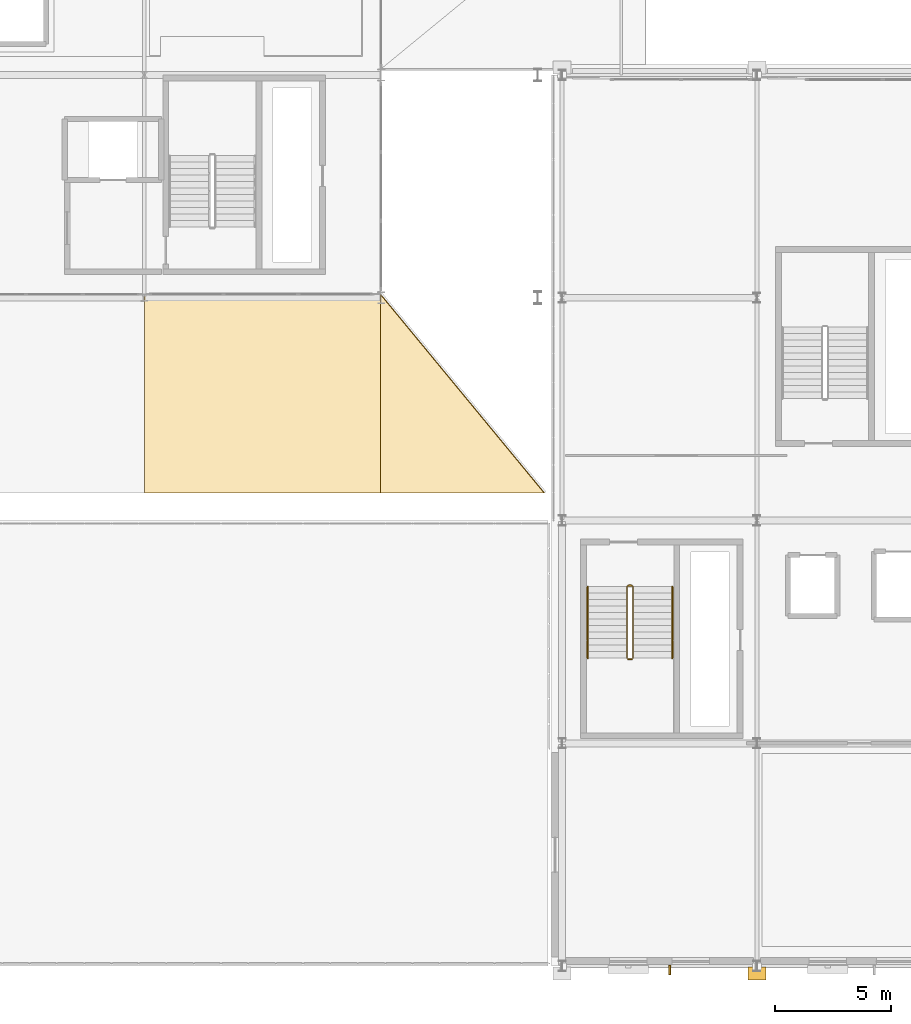
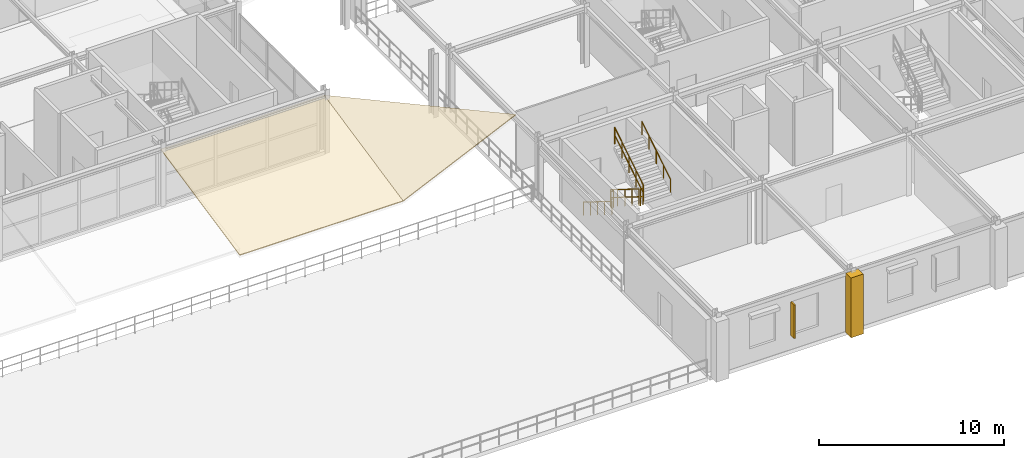
# One storey, part 64 of 81: 6 railings, 3 coverings, 1 shading device.
"""IFC4 building model written with IfcOpenShell, lengths in metres."""

from ifc_helpers import new_model, si_unit, direction, frame, origin, origin_2d, place, context, subcontext, project, spatial, polyline, rectangle, outline, extrude, material, layer, layer_set, type_object, element, save


model = new_model("IFC4")

# Units and contexts
model_context = context("Model", 3, precision=1e-05, world=origin(), true_north=direction((0.0, 1.0)))
body_context = subcontext(model_context, "Body", "Model", "MODEL_VIEW")
ifc_project = project(units=[si_unit("LENGTHUNIT", "METRE"), si_unit("AREAUNIT", "SQUARE_METRE"), si_unit("VOLUMEUNIT", "CUBIC_METRE"), si_unit("PLANEANGLEUNIT", "RADIAN"), si_unit("MASSUNIT", "GRAM", prefix="KILO")], contexts=[model_context])

# Site, building, storey
site_placement = place(None, origin())
site = spatial("IfcSite", under=ifc_project, at=site_placement, CompositionType="ELEMENT")
building_placement = place(site_placement, origin())
building = spatial("IfcBuilding", under=site, at=building_placement, Name="Myrtia Square Station", CompositionType="ELEMENT")
storey_placement = place(building_placement, frame((0.0, 0.0, 10.800048828125)))
storey = spatial("IfcBuildingStorey", under=building, at=storey_placement, Name="L02", CompositionType="ELEMENT", Elevation=10.800048828125)

# Coverings
ifc_material_1 = material(Name="Pentelic marble ashlar", Category="masonry")
ifc_layer_1 = layer(ifc_material_1, 0.4599609375, Name="Pentelic marble ashlar")
ifc_layer_set_1 = layer_set([ifc_layer_1], Name="Pentelic marble ashlar")
covering_type_1 = type_object("IfcCoveringType", Name="COV-ARCH-ASHLAR", PredefinedType="CLADDING", material=ifc_layer_set_1)
covering_1_placement = place(storey_placement, frame((126.0, -0.320068359375, -0.0400390625), z_axis=(0.0, 0.0, 1.0), x_axis=(1.0, 0.0, 0.0)))
element("IfcCovering", 1, at=covering_1_placement, inside=storey, type_object=covering_type_1, Name="Classical Pentelic ashlar pilaster 014", PredefinedType="CLADDING", context=body_context, shape_type="SweptSolid", body=[
    extrude(rectangle(XDim=0.780029296875, YDim=0.56005859375, at=origin_2d()), origin(), (0.0, 0.0, 1.0), 3.93994140625),
])
ifc_material_2 = material(Name="Terracotta clay barrel tiles", Category="masonry")
ifc_layer_2 = layer(ifc_material_2, 0.06494140625, Name="Terracotta clay barrel tiles")
ifc_layer_set_2 = layer_set([ifc_layer_2], Name="Terracotta clay barrel tiles")
covering_type_2 = type_object("IfcCoveringType", Name="COV-TILE-TERRACOTTA", PredefinedType="ROOFING", material=ifc_layer_set_2)
covering_2_placement = place(storey_placement, frame((99.60009765625, 20.38671875, 1.8134765625), z_axis=(0.0, -0.206020338752, 0.978547709629), x_axis=(1.0, 0.0, 0.0)))
element("IfcCovering", 2, at=covering_2_placement, inside=storey, type_object=covering_type_2, Name="Terracotta clay barrel-tile roofing 081", PredefinedType="ROOFING", context=body_context, shape_type="SweptSolid", body=[
    extrude(outline(polyline([(0.0, 0.0), (10.199951171875, 0.0), (10.199951171875, 8.737238464070392), (0.0, 8.737238464070392), (0.0, 0.0)])), origin(), (0.0, 0.0, -1.0), 0.06494140625),
])
covering_3_placement = place(storey_placement, frame((116.8232421875, 20.3876953125, 5.049072265625), z_axis=(-0.410274466512, -0.187877602514, 0.892399500561), x_axis=(-0.630869662297, 0.76509632037, -0.128961582455)))
element("IfcCovering", 3, at=covering_3_placement, inside=storey, type_object=covering_type_2, Name="Terracotta clay barrel-tile roofing 083", PredefinedType="ROOFING", context=body_context, shape_type="SweptSolid", body=[
    extrude(outline(polyline([(0.0, 0.0), (11.175127366959474, -8.881784197001252e-16), (4.865653614949148, 6.0443404701959516), (0.0, 0.0)])), origin(), (0.0, 0.0, -1.0), 0.06494140625),
])

# Railings
ifc_material_3 = material(Name="Dark bronze anodised aluminium", Category="aluminium")
railing_type_1 = type_object("IfcRailingType", Name="RL-HANDRAIL-900", PredefinedType="HANDRAIL", material=ifc_material_3)
railing_1_placement = place(storey_placement, frame((118.699951171875, 16.35009765625, 0.175048828125)))
element("IfcRailing", 4, at=railing_1_placement, inside=storey, type_object=railing_type_1, Name="L02 ST05 stair handrail 1", PredefinedType="HANDRAIL", context=body_context, shape_type="SweptSolid", body=[
    extrude(rectangle(XDim=0.048095703125, YDim=0.048095703125, at=origin_2d()), frame((0.0, -0.029296875, 0.894287109375), z_axis=(0.0, -0.848028513186, 0.529950602248), x_axis=(1.0, 0.0, 0.0)), (0.0, 0.0, 1.0), 0.838623046875),
    extrude(rectangle(XDim=0.048095703125, YDim=0.048095703125, at=origin_2d()), frame((0.0, -0.79931640625, 1.37548828125), z_axis=(0.0, -0.848028513186, 0.529950602248), x_axis=(1.0, 0.0, 0.0)), (0.0, 0.0, 1.0), 0.838623046875),
    extrude(rectangle(XDim=0.048095703125, YDim=0.048095703125, at=origin_2d()), frame((0.0, -1.5693359375, 1.856689453125), z_axis=(0.0, -0.848028513186, 0.529950602248), x_axis=(1.0, 0.0, 0.0)), (0.0, 0.0, 1.0), 0.838623046875),
    extrude(rectangle(XDim=0.048095703125, YDim=0.048095703125, at=origin_2d()), frame((0.0, -2.33935546875, 2.337890625), z_axis=(0.0, -0.848028513186, 0.529950602248), x_axis=(1.0, 0.0, 0.0)), (0.0, 0.0, 1.0), 0.838623046875),
    extrude(rectangle(XDim=0.0439453125, YDim=0.0439453125, at=origin_2d()), origin(), (0.0, 0.0, 1.0), 0.89990234375),
    extrude(rectangle(XDim=0.0439453125, YDim=0.0439453125, at=origin_2d()), frame((0.0, -0.77001953125, 0.481201171875)), (0.0, 0.0, 1.0), 0.89990234375),
    extrude(rectangle(XDim=0.0439453125, YDim=0.0439453125, at=origin_2d()), frame((0.0, -1.5400390625, 0.96240234375)), (0.0, 0.0, 1.0), 0.89990234375),
    extrude(rectangle(XDim=0.0439453125, YDim=0.0439453125, at=origin_2d()), frame((0.0, -2.31005859375, 1.443603515625)), (0.0, 0.0, 1.0), 0.89990234375),
    extrude(rectangle(XDim=0.0439453125, YDim=0.0439453125, at=origin_2d()), frame((0.0, -3.080078125, 1.9248046875)), (0.0, 0.0, 1.0), 0.89990234375),
])
railing_2_placement = place(storey_placement, frame((122.360107421875, 13.27001953125, 2.27490234375)))
element("IfcRailing", 5, at=railing_2_placement, inside=storey, type_object=railing_type_1, Name="L02 ST05 stair handrail 2", PredefinedType="HANDRAIL", context=body_context, shape_type="SweptSolid", body=[
    extrude(rectangle(XDim=0.048095703125, YDim=0.048095703125, at=origin_2d()), frame((0.0, 0.029296875, 0.894287109375), z_axis=(0.0, 0.847998304005, 0.529998940003), x_axis=(-1.0, 0.0, 0.0)), (0.0, 0.0, 1.0), 0.8388671875),
    extrude(rectangle(XDim=0.048095703125, YDim=0.048095703125, at=origin_2d()), frame((0.0, 0.79931640625, 1.37548828125), z_axis=(0.0, 0.847998304005, 0.529998940003), x_axis=(-1.0, 0.0, 0.0)), (0.0, 0.0, 1.0), 0.8388671875),
    extrude(rectangle(XDim=0.048095703125, YDim=0.048095703125, at=origin_2d()), frame((0.0, 1.5693359375, 1.856689453125), z_axis=(0.0, 0.847998304005, 0.529998940003), x_axis=(-1.0, 0.0, 0.0)), (0.0, 0.0, 1.0), 0.8388671875),
    extrude(rectangle(XDim=0.048095703125, YDim=0.048095703125, at=origin_2d()), frame((0.0, 2.33935546875, 2.337890625), z_axis=(0.0, 0.847998304005, 0.529998940003), x_axis=(-1.0, 0.0, 0.0)), (0.0, 0.0, 1.0), 0.8388671875),
    extrude(rectangle(XDim=0.0439453125, YDim=0.0439453125, at=origin_2d()), origin(), (0.0, 0.0, 1.0), 0.89990234375),
    extrude(rectangle(XDim=0.0439453125, YDim=0.0439453125, at=origin_2d()), frame((0.0, 0.77001953125, 0.481201171875)), (0.0, 0.0, 1.0), 0.89990234375),
    extrude(rectangle(XDim=0.0439453125, YDim=0.0439453125, at=origin_2d()), frame((0.0, 1.5400390625, 0.96240234375)), (0.0, 0.0, 1.0), 0.89990234375),
    extrude(rectangle(XDim=0.0439453125, YDim=0.0439453125, at=origin_2d()), frame((0.0, 2.31005859375, 1.44384765625)), (0.0, 0.0, 1.0), 0.89990234375),
    extrude(rectangle(XDim=0.0439453125, YDim=0.0439453125, at=origin_2d()), frame((0.0, 3.080078125, 1.925048828125)), (0.0, 0.0, 1.0), 0.89990234375),
])
ifc_material_4 = material(Name="Wrought iron", Category="steel")
railing_type_2 = type_object("IfcRailingType", Name="RL-INT-GUARD-1100", PredefinedType="BALUSTRADE", material=ifc_material_4)
railing_3_placement = place(storey_placement, frame((120.39990234375, 16.35009765625, 0.175048828125)))
element("IfcRailing", 6, at=railing_3_placement, inside=storey, type_object=railing_type_2, Name="L02 ST05 stair guard 1", PredefinedType="BALUSTRADE", context=body_context, shape_type="SweptSolid", body=[
    extrude(rectangle(XDim=0.048095703125, YDim=0.048095703125, at=origin_2d()), frame((0.0, -0.029296875, 1.114501953125), z_axis=(0.0, -0.848028513186, 0.529950602248), x_axis=(1.0, 0.0, 0.0)), (0.0, 0.0, 1.0), 0.838623046875),
    extrude(rectangle(XDim=0.048095703125, YDim=0.048095703125, at=origin_2d()), frame((0.0, -0.029296875, 0.600830078125), z_axis=(0.0, -0.848028513186, 0.529950602248), x_axis=(1.0, 0.0, 0.0)), (0.0, 0.0, 1.0), 0.838623046875),
    extrude(rectangle(XDim=0.048095703125, YDim=0.048095703125, at=origin_2d()), frame((0.0, -0.79931640625, 1.595703125), z_axis=(0.0, -0.848028513186, 0.529950602248), x_axis=(1.0, 0.0, 0.0)), (0.0, 0.0, 1.0), 0.838623046875),
    extrude(rectangle(XDim=0.048095703125, YDim=0.048095703125, at=origin_2d()), frame((0.0, -0.79931640625, 1.08203125), z_axis=(0.0, -0.848028513186, 0.529950602248), x_axis=(1.0, 0.0, 0.0)), (0.0, 0.0, 1.0), 0.838623046875),
    extrude(rectangle(XDim=0.048095703125, YDim=0.048095703125, at=origin_2d()), frame((0.0, -1.5693359375, 2.076904296875), z_axis=(0.0, -0.848028513186, 0.529950602248), x_axis=(1.0, 0.0, 0.0)), (0.0, 0.0, 1.0), 0.838623046875),
    extrude(rectangle(XDim=0.048095703125, YDim=0.048095703125, at=origin_2d()), frame((0.0, -1.5693359375, 1.563232421875), z_axis=(0.0, -0.848028513186, 0.529950602248), x_axis=(1.0, 0.0, 0.0)), (0.0, 0.0, 1.0), 0.838623046875),
    extrude(rectangle(XDim=0.048095703125, YDim=0.048095703125, at=origin_2d()), frame((0.0, -2.33935546875, 2.55810546875), z_axis=(0.0, -0.848028513186, 0.529950602248), x_axis=(1.0, 0.0, 0.0)), (0.0, 0.0, 1.0), 0.838623046875),
    extrude(rectangle(XDim=0.048095703125, YDim=0.048095703125, at=origin_2d()), frame((0.0, -2.33935546875, 2.04443359375), z_axis=(0.0, -0.848028513186, 0.529950602248), x_axis=(1.0, 0.0, 0.0)), (0.0, 0.0, 1.0), 0.838623046875),
    extrude(rectangle(XDim=0.0439453125, YDim=0.0439453125, at=origin_2d()), origin(), (0.0, 0.0, 1.0), 1.1201171875),
    extrude(rectangle(XDim=0.0439453125, YDim=0.0439453125, at=origin_2d()), frame((0.0, -0.77001953125, 0.481201171875)), (0.0, 0.0, 1.0), 1.1201171875),
    extrude(rectangle(XDim=0.0439453125, YDim=0.0439453125, at=origin_2d()), frame((0.0, -1.5400390625, 0.96240234375)), (0.0, 0.0, 1.0), 1.1201171875),
    extrude(rectangle(XDim=0.0439453125, YDim=0.0439453125, at=origin_2d()), frame((0.0, -2.31005859375, 1.443603515625)), (0.0, 0.0, 1.0), 1.1201171875),
    extrude(rectangle(XDim=0.0439453125, YDim=0.0439453125, at=origin_2d()), frame((0.0, -3.080078125, 1.9248046875)), (0.0, 0.0, 1.0), 1.1201171875),
])
railing_4_placement = place(storey_placement, frame((120.449951171875, 13.219970703125, 2.099853515625)))
element("IfcRailing", 7, at=railing_4_placement, inside=storey, type_object=railing_type_2, Name="L02 ST05 stair guard 2", PredefinedType="BALUSTRADE", context=body_context, shape_type="SweptSolid", body=[
    extrude(rectangle(XDim=0.048095703125, YDim=0.048095703125, at=origin_2d()), frame((0.03466796875, 0.0, 1.09619140625), z_axis=(1.0, 0.0, 0.0), x_axis=(0.0, 1.0, 0.0)), (0.0, 0.0, 1.0), 0.0908203125),
    extrude(rectangle(XDim=0.048095703125, YDim=0.048095703125, at=origin_2d()), frame((0.03466796875, 0.0, 0.58251953125), z_axis=(1.0, 0.0, 0.0), x_axis=(0.0, 1.0, 0.0)), (0.0, 0.0, 1.0), 0.0908203125),
    extrude(rectangle(XDim=0.0439453125, YDim=0.0439453125, at=origin_2d()), origin(), (0.0, 0.0, 1.0), 1.1201171875),
    extrude(rectangle(XDim=0.0439453125, YDim=0.0439453125, at=origin_2d()), frame((0.16015625, 0.0, 0.0)), (0.0, 0.0, 1.0), 1.1201171875),
])
railing_5_placement = place(storey_placement, frame((120.659912109375, 13.27001953125, 2.27490234375)))
element("IfcRailing", 8, at=railing_5_placement, inside=storey, type_object=railing_type_2, Name="L02 ST05 stair guard 3", PredefinedType="BALUSTRADE", context=body_context, shape_type="SweptSolid", body=[
    extrude(rectangle(XDim=0.048095703125, YDim=0.048095703125, at=origin_2d()), frame((0.0, 0.029296875, 1.114501953125), z_axis=(0.0, 0.847998304005, 0.529998940003), x_axis=(-1.0, 0.0, 0.0)), (0.0, 0.0, 1.0), 0.8388671875),
    extrude(rectangle(XDim=0.048095703125, YDim=0.048095703125, at=origin_2d()), frame((0.0, 0.029296875, 0.600830078125), z_axis=(0.0, 0.847998304005, 0.529998940003), x_axis=(-1.0, 0.0, 0.0)), (0.0, 0.0, 1.0), 0.8388671875),
    extrude(rectangle(XDim=0.048095703125, YDim=0.048095703125, at=origin_2d()), frame((0.0, 0.79931640625, 1.595703125), z_axis=(0.0, 0.847998304005, 0.529998940003), x_axis=(-1.0, 0.0, 0.0)), (0.0, 0.0, 1.0), 0.8388671875),
    extrude(rectangle(XDim=0.048095703125, YDim=0.048095703125, at=origin_2d()), frame((0.0, 0.79931640625, 1.08203125), z_axis=(0.0, 0.847998304005, 0.529998940003), x_axis=(-1.0, 0.0, 0.0)), (0.0, 0.0, 1.0), 0.8388671875),
    extrude(rectangle(XDim=0.048095703125, YDim=0.048095703125, at=origin_2d()), frame((0.0, 1.5693359375, 2.076904296875), z_axis=(0.0, 0.847998304005, 0.529998940003), x_axis=(-1.0, 0.0, 0.0)), (0.0, 0.0, 1.0), 0.8388671875),
    extrude(rectangle(XDim=0.048095703125, YDim=0.048095703125, at=origin_2d()), frame((0.0, 1.5693359375, 1.563232421875), z_axis=(0.0, 0.847998304005, 0.529998940003), x_axis=(-1.0, 0.0, 0.0)), (0.0, 0.0, 1.0), 0.8388671875),
    extrude(rectangle(XDim=0.048095703125, YDim=0.048095703125, at=origin_2d()), frame((0.0, 2.33935546875, 2.55810546875), z_axis=(0.0, 0.847998304005, 0.529998940003), x_axis=(-1.0, 0.0, 0.0)), (0.0, 0.0, 1.0), 0.8388671875),
    extrude(rectangle(XDim=0.048095703125, YDim=0.048095703125, at=origin_2d()), frame((0.0, 2.33935546875, 2.044677734375), z_axis=(0.0, 0.847998304005, 0.529998940003), x_axis=(-1.0, 0.0, 0.0)), (0.0, 0.0, 1.0), 0.8388671875),
    extrude(rectangle(XDim=0.0439453125, YDim=0.0439453125, at=origin_2d()), origin(), (0.0, 0.0, 1.0), 1.1201171875),
    extrude(rectangle(XDim=0.0439453125, YDim=0.0439453125, at=origin_2d()), frame((0.0, 0.77001953125, 0.481201171875)), (0.0, 0.0, 1.0), 1.1201171875),
    extrude(rectangle(XDim=0.0439453125, YDim=0.0439453125, at=origin_2d()), frame((0.0, 1.5400390625, 0.96240234375)), (0.0, 0.0, 1.0), 1.1201171875),
    extrude(rectangle(XDim=0.0439453125, YDim=0.0439453125, at=origin_2d()), frame((0.0, 2.31005859375, 1.44384765625)), (0.0, 0.0, 1.0), 1.1201171875),
    extrude(rectangle(XDim=0.0439453125, YDim=0.0439453125, at=origin_2d()), frame((0.0, 3.080078125, 1.925048828125)), (0.0, 0.0, 1.0), 1.1201171875),
])
railing_6_placement = place(storey_placement, frame((120.449951171875, 16.39990234375, 0.0)))
element("IfcRailing", 9, at=railing_6_placement, inside=storey, type_object=railing_type_2, Name="L02 ST05 stair guard 4", PredefinedType="BALUSTRADE", context=body_context, shape_type="SweptSolid", body=[
    extrude(rectangle(XDim=0.048095703125, YDim=0.048095703125, at=origin_2d()), frame((0.03466796875, 0.0, 1.09619140625), z_axis=(1.0, 0.0, 0.0), x_axis=(0.0, 1.0, 0.0)), (0.0, 0.0, 1.0), 0.0908203125),
    extrude(rectangle(XDim=0.048095703125, YDim=0.048095703125, at=origin_2d()), frame((0.03466796875, 0.0, 0.58251953125), z_axis=(1.0, 0.0, 0.0), x_axis=(0.0, 1.0, 0.0)), (0.0, 0.0, 1.0), 0.0908203125),
    extrude(rectangle(XDim=0.0439453125, YDim=0.0439453125, at=origin_2d()), origin(), (0.0, 0.0, 1.0), 1.1201171875),
    extrude(rectangle(XDim=0.0439453125, YDim=0.0439453125, at=origin_2d()), frame((0.16015625, 0.0, 0.0)), (0.0, 0.0, 1.0), 1.1201171875),
])

# Shading device
shading_device_type = type_object("IfcShadingDeviceType", Name="SHD-FIN-BRONZE", PredefinedType="USERDEFINED", material=ifc_material_3)
shading_device_placement = place(storey_placement, frame((122.248046875, -0.169921875, 0.9501953125), z_axis=(0.0, 0.0, 1.0), x_axis=(1.0, 0.0, 0.0)))
element("IfcShadingDevice", 10, at=shading_device_placement, inside=storey, type_object=shading_device_type, Name="Vertical bronze solar fin SHF-019", ObjectType="FIN", PredefinedType="USERDEFINED", context=body_context, shape_type="SweptSolid", body=[
    extrude(rectangle(XDim=0.080078125, YDim=0.389892578125, at=origin_2d()), origin(), (0.0, 0.0, 1.0), 2.199951171875),
])

save(model, "model.ifc")
